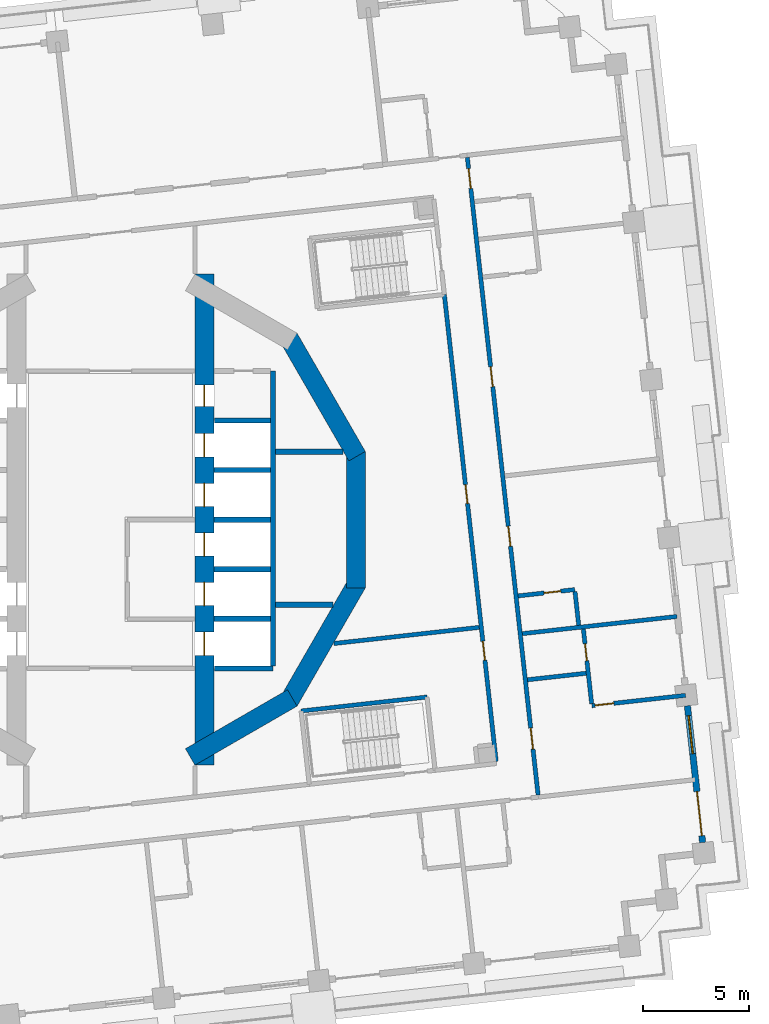
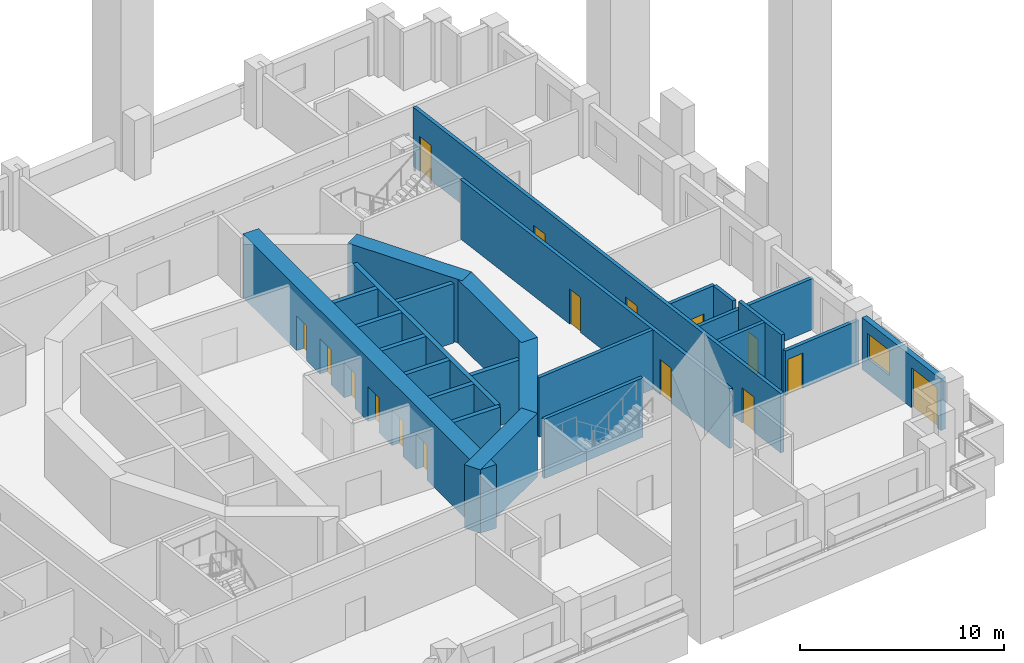
# One storey, part 6 of 20: 25 walls, 16 doors, 1 window, 17 openings.
"""IFC4 building model written with IfcOpenShell, lengths in metres."""

from ifc_helpers import new_model, si_unit, direction, frame, frame_2d, origin, place, context, subcontext, project, spatial, rectangle, extrude, material, layer, layer_set, type_object, element, fill, save


model = new_model("IFC4")

# Units and contexts
model_context = context("Model", 3, precision=1e-05, world=origin(), true_north=direction((0.0, 1.0)))
body_context = subcontext(model_context, "Body", "Model", "MODEL_VIEW")
ifc_project = project(units=[si_unit("LENGTHUNIT", "METRE"), si_unit("AREAUNIT", "SQUARE_METRE"), si_unit("VOLUMEUNIT", "CUBIC_METRE"), si_unit("PLANEANGLEUNIT", "RADIAN"), si_unit("MASSUNIT", "GRAM", prefix="KILO")], contexts=[model_context])

# Site, building, storey
site_placement = place(None, origin())
site = spatial("IfcSite", under=ifc_project, at=site_placement, CompositionType="ELEMENT")
building_placement = place(site_placement, origin())
building = spatial("IfcBuilding", under=site, at=building_placement, Name="Cantera Rosa Tower", CompositionType="ELEMENT")
storey_placement = place(building_placement, frame((0.0, 0.0, 42.5)))
storey = spatial("IfcBuildingStorey", under=building, at=storey_placement, Name="L07", CompositionType="ELEMENT", Elevation=42.5)

# Wall, openings, doors
ifc_material_1 = material(Name="Gypsum board partition")
ifc_layer_1 = layer(ifc_material_1, 0.199951171875)
ifc_layer_set_1 = layer_set([ifc_layer_1], Name="CORRIDOR WALL 200 H3550")
wall_type_1 = type_object("IfcWallType", Name="CORRIDOR WALL 200 H3550", PredefinedType="PARTITIONING", material=ifc_layer_set_1)
wall_1_placement = place(storey_placement, frame((18.27490234375, -11.453857421875, 0.0), z_axis=(0.0, 0.0, 1.0), x_axis=(-0.110303935969, 0.993897903061, 0.0)))
wall_1 = element("IfcWall", 1, at=wall_1_placement, inside=storey, type_object=wall_type_1, Name="CORRIDOR WALL L07-103", PredefinedType="PARTITIONING", context=body_context, shape_type="SweptSolid", body=[
    extrude(rectangle(XDim=22.26171875, YDim=0.199951171875, at=frame_2d((11.130859375, 0.0))), origin(), (0.0, 0.0, 1.0), 3.550048828125),
])
opening_1_placement = place(wall_1_placement, frame((12.294677734375, 0.0, 0.0)))
opening_1 = element("IfcOpeningElement", 2, at=opening_1_placement, cuts=wall_1, Name="Opening L07-005", PredefinedType="OPENING", context=body_context, shape_type="SweptSolid", body=[
    extrude(rectangle(XDim=0.89990234375, YDim=2.10009765625, at=frame_2d((0.449951171875, 1.050048828125))), frame((0.0, 0.10986328125, 0.0), z_axis=(0.0, -1.0, 0.0), x_axis=(1.0, 0.0, 0.0)), (0.0, 0.0, 1.0), 0.219970703125),
])
opening_2_placement = place(wall_1_placement, frame((4.830078125, 0.0, 0.0)))
opening_2 = element("IfcOpeningElement", 3, at=opening_2_placement, cuts=wall_1, Name="Opening L07-009", PredefinedType="OPENING", context=body_context, shape_type="SweptSolid", body=[
    extrude(rectangle(XDim=0.89990234375, YDim=2.10009765625, at=frame_2d((0.449951171875, 1.050048828125))), frame((0.0, 0.10986328125, 0.0), z_axis=(0.0, -1.0, 0.0), x_axis=(1.0, 0.0, 0.0)), (0.0, 0.0, 1.0), 0.219970703125),
])
ifc_material_2 = material(Name="Timber door leaf", Category="wood")
door_type_1 = type_object("IfcDoorType", Name="SERVICE DOOR 900x2100", OperationType="NOTDEFINED", PredefinedType="DOOR", material=ifc_material_2)
door_1_placement = place(opening_1_placement, origin())
door_1 = element("IfcDoor", 4, at=door_1_placement, inside=storey, type_object=door_type_1, Name="DOOR L07-005", OperationType="NOTDEFINED", OverallHeight=2.10009765625, OverallWidth=0.89990234375, PredefinedType="DOOR", context=body_context, shape_type="SweptSolid", body=[
    extrude(rectangle(XDim=0.89990234375, YDim=2.10009765625, at=frame_2d((0.449951171875, 1.050048828125))), frame((0.0, 0.02490234375, 0.0), z_axis=(0.0, -1.0, 0.0), x_axis=(1.0, 0.0, 0.0)), (0.0, 0.0, 1.0), 0.050048828125),
])
fill(opening_1, door_1)
door_2_placement = place(opening_2_placement, origin())
door_2 = element("IfcDoor", 5, at=door_2_placement, inside=storey, type_object=door_type_1, Name="DOOR L07-009", OperationType="NOTDEFINED", OverallHeight=2.10009765625, OverallWidth=0.89990234375, PredefinedType="DOOR", context=body_context, shape_type="SweptSolid", body=[
    extrude(rectangle(XDim=0.89990234375, YDim=2.10009765625, at=frame_2d((0.449951171875, 1.050048828125))), frame((0.0, 0.02490234375, 0.0), z_axis=(0.0, -1.0, 0.0), x_axis=(1.0, 0.0, 0.0)), (0.0, 0.0, 1.0), 0.050048828125),
])
fill(opening_2, door_2)

wall_2_placement = place(storey_placement, frame((20.2626953125, -13.04443359375, 0.0), z_axis=(0.0, 0.0, 1.0), x_axis=(-0.110312530755, 0.993896949164, 0.0)))
wall_2 = element("IfcWall", 6, at=wall_2_placement, inside=storey, type_object=wall_type_1, Name="CORRIDOR WALL L07-110", PredefinedType="PARTITIONING", context=body_context, shape_type="SweptSolid", body=[
    extrude(rectangle(XDim=30.400146484375, YDim=0.199951171875, at=frame_2d((15.2001953125, 0.0))), origin(), (0.0, 0.0, 1.0), 3.550048828125),
])
opening_3_placement = place(wall_2_placement, frame((2.18994140625, 0.0, 0.0)))
opening_3 = element("IfcOpeningElement", 7, at=opening_3_placement, cuts=wall_2, Name="Opening L07-016", PredefinedType="OPENING", context=body_context, shape_type="SweptSolid", body=[
    extrude(rectangle(XDim=1.0, YDim=2.10009765625, at=frame_2d((0.5, 1.050048828125))), frame((0.0, 0.10986328125, 0.0), z_axis=(0.0, -1.0, 0.0), x_axis=(1.0, 0.0, 0.0)), (0.0, 0.0, 1.0), 0.219970703125),
])
opening_4_placement = place(wall_2_placement, frame((11.864990234375, 0.0, 0.0)))
opening_4 = element("IfcOpeningElement", 8, at=opening_4_placement, cuts=wall_2, Name="Opening L07-019", PredefinedType="OPENING", context=body_context, shape_type="SweptSolid", body=[
    extrude(rectangle(XDim=0.949951171875, YDim=2.10009765625, at=frame_2d((0.47509765625, 1.050048828125))), frame((0.0, 0.10986328125, 0.0), z_axis=(0.0, -1.0, 0.0), x_axis=(1.0, 0.0, 0.0)), (0.0, 0.0, 1.0), 0.219970703125),
])
opening_5_placement = place(wall_2_placement, frame((19.465087890625, 0.0, 0.0)))
opening_5 = element("IfcOpeningElement", 9, at=opening_5_placement, cuts=wall_2, Name="Opening L07-021", PredefinedType="OPENING", context=body_context, shape_type="SweptSolid", body=[
    extrude(rectangle(XDim=0.949951171875, YDim=2.10009765625, at=frame_2d((0.47509765625, 1.050048828125))), frame((0.0, 0.10986328125, 0.0), z_axis=(0.0, -1.0, 0.0), x_axis=(1.0, 0.0, 0.0)), (0.0, 0.0, 1.0), 0.219970703125),
])
opening_6_placement = place(wall_2_placement, frame((28.9150390625, 0.0, 0.0)))
opening_6 = element("IfcOpeningElement", 10, at=opening_6_placement, cuts=wall_2, Name="Opening L07-023", PredefinedType="OPENING", context=body_context, shape_type="SweptSolid", body=[
    extrude(rectangle(XDim=0.949951171875, YDim=2.10009765625, at=frame_2d((0.47509765625, 1.050048828125))), frame((0.0, 0.10986328125, 0.0), z_axis=(0.0, -1.0, 0.0), x_axis=(1.0, 0.0, 0.0)), (0.0, 0.0, 1.0), 0.219970703125),
])
ifc_material_3 = material(Name="Timber door leaf", Category="wood")
door_type_2 = type_object("IfcDoorType", Name="ENTRANCE DOOR 1000x2100", OperationType="NOTDEFINED", PredefinedType="DOOR", material=ifc_material_3)
door_3_placement = place(opening_3_placement, origin())
door_3 = element("IfcDoor", 11, at=door_3_placement, inside=storey, type_object=door_type_2, Name="DOOR L07-016", OperationType="NOTDEFINED", OverallHeight=2.10009765625, OverallWidth=1.0, PredefinedType="DOOR", context=body_context, shape_type="SweptSolid", body=[
    extrude(rectangle(XDim=1.0, YDim=2.10009765625, at=frame_2d((0.5, 1.050048828125))), frame((0.0, 0.02490234375, 0.0), z_axis=(0.0, -1.0, 0.0), x_axis=(1.0, 0.0, 0.0)), (0.0, 0.0, 1.0), 0.050048828125),
])
fill(opening_3, door_3)
ifc_material_4 = material(Name="Timber door leaf", Category="wood")
door_type_3 = type_object("IfcDoorType", Name="ROOM DOOR 950x2100", OperationType="NOTDEFINED", PredefinedType="DOOR", material=ifc_material_4)
door_4_placement = place(opening_4_placement, origin())
door_4 = element("IfcDoor", 12, at=door_4_placement, inside=storey, type_object=door_type_3, Name="DOOR L07-019", OperationType="NOTDEFINED", OverallHeight=2.10009765625, OverallWidth=0.949951171875, PredefinedType="DOOR", context=body_context, shape_type="SweptSolid", body=[
    extrude(rectangle(XDim=0.949951171875, YDim=2.10009765625, at=frame_2d((0.47509765625, 1.050048828125))), frame((0.0, 0.02490234375, 0.0), z_axis=(0.0, -1.0, 0.0), x_axis=(1.0, 0.0, 0.0)), (0.0, 0.0, 1.0), 0.050048828125),
])
fill(opening_4, door_4)
door_5_placement = place(opening_5_placement, origin())
door_5 = element("IfcDoor", 13, at=door_5_placement, inside=storey, type_object=door_type_3, Name="DOOR L07-021", OperationType="NOTDEFINED", OverallHeight=2.10009765625, OverallWidth=0.949951171875, PredefinedType="DOOR", context=body_context, shape_type="SweptSolid", body=[
    extrude(rectangle(XDim=0.949951171875, YDim=2.10009765625, at=frame_2d((0.47509765625, 1.050048828125))), frame((0.0, 0.02490234375, 0.0), z_axis=(0.0, -1.0, 0.0), x_axis=(1.0, 0.0, 0.0)), (0.0, 0.0, 1.0), 0.050048828125),
])
fill(opening_5, door_5)
door_6_placement = place(opening_6_placement, origin())
door_6 = element("IfcDoor", 14, at=door_6_placement, inside=storey, type_object=door_type_3, Name="DOOR L07-023", OperationType="NOTDEFINED", OverallHeight=2.10009765625, OverallWidth=0.949951171875, PredefinedType="DOOR", context=body_context, shape_type="SweptSolid", body=[
    extrude(rectangle(XDim=0.949951171875, YDim=2.10009765625, at=frame_2d((0.47509765625, 1.050048828125))), frame((0.0, 0.02490234375, 0.0), z_axis=(0.0, -1.0, 0.0), x_axis=(1.0, 0.0, 0.0)), (0.0, 0.0, 1.0), 0.050048828125),
])
fill(opening_6, door_6)

# Wall, openings, window, door
ifc_material_5 = material(Name="Hollow clay masonry with cantera stone cladding", Category="masonry")
ifc_layer_2 = layer(ifc_material_5, 0.300048828125)
ifc_layer_set_2 = layer_set([ifc_layer_2], Name="EW-LOGGIA 300 H3090")
wall_type_2 = type_object("IfcWallType", Name="EW-LOGGIA 300 H3090", PredefinedType="SOLIDWALL", material=ifc_layer_set_2)
wall_3_placement = place(storey_placement, frame((28.058837890625, -15.298095703125, 0.0), z_axis=(0.0, 0.0, 1.0), x_axis=(-0.110312341265, 0.993896970196, 0.0)))
wall_3 = element("IfcWall", 15, at=wall_3_placement, inside=storey, type_object=wall_type_2, Name="EN-L07-W01", PredefinedType="SOLIDWALL", context=body_context, shape_type="SweptSolid", body=[
    extrude(rectangle(XDim=6.52001953125, YDim=0.300048828125, at=frame_2d((3.260009765625, 0.0))), origin(), (0.0, 0.0, 1.0), 3.090087890625),
])
opening_7_placement = place(wall_3_placement, frame((0.330078125, 0.0, 0.0)))
opening_7 = element("IfcOpeningElement", 16, at=opening_7_placement, cuts=wall_3, Name="Opening L07-TD01", PredefinedType="OPENING", context=body_context, shape_type="SweptSolid", body=[
    extrude(rectangle(XDim=2.10009765625, YDim=2.39990234375, at=frame_2d((1.050048828125, 1.199951171875))), frame((0.0, 0.159912109375, 0.0), z_axis=(0.0, -1.0, 0.0), x_axis=(1.0, 0.0, 0.0)), (0.0, 0.0, 1.0), 0.320068359375),
])
opening_8_placement = place(wall_3_placement, frame((4.239990234375, 0.0, 0.89990234375)))
opening_8 = element("IfcOpeningElement", 17, at=opening_8_placement, cuts=wall_3, Name="Opening L07-W02", PredefinedType="OPENING", context=body_context, shape_type="SweptSolid", body=[
    extrude(rectangle(XDim=1.800048828125, YDim=1.5, at=frame_2d((0.89990234375, 0.75))), frame((0.0, 0.159912109375, 0.0), z_axis=(0.0, -1.0, 0.0), x_axis=(1.0, 0.0, 0.0)), (0.0, 0.0, 1.0), 0.320068359375),
])
ifc_material_6 = material(Name="Aluminium frame with clear glass", Category="aluminium")
window_type = type_object("IfcWindowType", Name="Hotel room window 1800x1500", PartitioningType="DOUBLE_PANEL_VERTICAL", PredefinedType="WINDOW", material=ifc_material_6)
window_placement = place(opening_8_placement, origin())
window = element("IfcWindow", 18, at=window_placement, inside=storey, type_object=window_type, Name="WINDOW L07-W02", OverallHeight=1.5, OverallWidth=1.800048828125, PartitioningType="SINGLE_PANEL", PredefinedType="WINDOW", context=body_context, shape_type="SweptSolid", body=[
    extrude(rectangle(XDim=1.800048828125, YDim=1.5, at=frame_2d((0.89990234375, 0.75))), frame((0.0, 0.030029296875, 0.0), z_axis=(0.0, -1.0, 0.0), x_axis=(1.0, 0.0, 0.0)), (0.0, 0.0, 1.0), 0.06005859375),
])
fill(opening_8, window)
ifc_material_7 = material(Name="Aluminium frame with clear glass", Category="aluminium")
door_type_4 = type_object("IfcDoorType", Name="TD-H 2100x2400", OperationType="NOTDEFINED", PredefinedType="DOOR", material=ifc_material_7)
door_7_placement = place(opening_7_placement, origin())
door_7 = element("IfcDoor", 19, at=door_7_placement, inside=storey, type_object=door_type_4, Name="LOGGIA DOOR L07-TD01", OperationType="SLIDING_TO_LEFT", OverallHeight=2.39990234375, OverallWidth=2.10009765625, PredefinedType="DOOR", context=body_context, shape_type="SweptSolid", body=[
    extrude(rectangle(XDim=2.10009765625, YDim=2.39990234375, at=frame_2d((1.050048828125, 1.199951171875))), frame((0.0, 0.02490234375, 0.0), z_axis=(0.0, -1.0, 0.0), x_axis=(1.0, 0.0, 0.0)), (0.0, 0.0, 1.0), 0.050048828125),
])
fill(opening_7, door_7)

# Wall, opening, door
ifc_material_8 = material(Name="Gypsum board partition")
ifc_layer_3 = layer(ifc_material_8, 0.199951171875)
ifc_layer_set_3 = layer_set([ifc_layer_3], Name="PARTITION 200 H2650")
wall_type_3 = type_object("IfcWallType", Name="PARTITION 200 H2650", PredefinedType="PARTITIONING", material=ifc_layer_set_3)
wall_4_placement = place(storey_placement, frame((27.254638671875, -8.32421875, 0.0), z_axis=(0.0, 0.0, 1.0), x_axis=(-0.993895052822, -0.11032961514, 0.0)))
wall_4 = element("IfcWall", 20, at=wall_4_placement, inside=storey, type_object=wall_type_3, Name="PARTITION L07-115", PredefinedType="PARTITIONING", context=body_context, shape_type="SweptSolid", body=[
    extrude(rectangle(XDim=4.469970703125, YDim=0.199951171875, at=frame_2d((2.23486328125, 0.0))), origin(), (0.0, 0.0, 1.0), 2.64990234375),
])
opening_9_placement = place(wall_4_placement, frame((3.419921875, 0.0, 0.0)))
opening_9 = element("IfcOpeningElement", 21, at=opening_9_placement, cuts=wall_4, Name="Opening L07-017", PredefinedType="OPENING", context=body_context, shape_type="SweptSolid", body=[
    extrude(rectangle(XDim=0.89990234375, YDim=2.10009765625, at=frame_2d((0.449951171875, 1.050048828125))), frame((0.0, 0.10986328125, 0.0), z_axis=(0.0, -1.0, 0.0), x_axis=(1.0, 0.0, 0.0)), (0.0, 0.0, 1.0), 0.219970703125),
])
ifc_material_9 = material(Name="Timber door leaf", Category="wood")
door_type_5 = type_object("IfcDoorType", Name="ROOM DOOR 900x2100", OperationType="NOTDEFINED", PredefinedType="DOOR", material=ifc_material_9)
door_8_placement = place(opening_9_placement, origin())
door_8 = element("IfcDoor", 22, at=door_8_placement, inside=storey, type_object=door_type_5, Name="DOOR L07-017", OperationType="NOTDEFINED", OverallHeight=2.10009765625, OverallWidth=0.89990234375, PredefinedType="DOOR", context=body_context, shape_type="SweptSolid", body=[
    extrude(rectangle(XDim=0.89990234375, YDim=2.10009765625, at=frame_2d((0.449951171875, 1.050048828125))), frame((0.0, 0.02490234375, 0.0), z_axis=(0.0, -1.0, 0.0), x_axis=(1.0, 0.0, 0.0)), (0.0, 0.0, 1.0), 0.050048828125),
])
fill(opening_9, door_8)

# Wall
ifc_material_10 = material(Name="Gypsum board partition")
ifc_layer_4 = layer(ifc_material_10, 0.199951171875)
ifc_layer_set_4 = layer_set([ifc_layer_4], Name="PARTITION 200 H3550")
wall_type_4 = type_object("IfcWallType", Name="PARTITION 200 H3550", PredefinedType="PARTITIONING", material=ifc_layer_set_4)
wall_5_placement = place(storey_placement, frame((17.4697265625, -5.10400390625, 0.0), z_axis=(0.0, 0.0, 1.0), x_axis=(-0.993897488751, -0.110307669061, 0.0)))
element("IfcWall", 23, at=wall_5_placement, inside=storey, type_object=wall_type_4, Name="PARTITION L07-101", PredefinedType="PARTITIONING", context=body_context, shape_type="SweptSolid", body=[
    extrude(rectangle(XDim=6.923095703125, YDim=0.199951171875, at=frame_2d((3.46142578125, 0.0))), origin(), (0.0, 0.0, 1.0), 3.550048828125),
])

# Wall, opening, door
wall_6_placement = place(storey_placement, frame((19.31640625, -3.611083984375, 0.0), z_axis=(0.0, 0.0, 1.0), x_axis=(0.993905770718, 0.110233021063, 0.0)))
wall_6 = element("IfcWall", 24, at=wall_6_placement, inside=storey, type_object=wall_type_4, Name="PARTITION L07-107", PredefinedType="PARTITIONING", context=body_context, shape_type="SweptSolid", body=[
    extrude(rectangle(XDim=2.69970703125, YDim=0.199951171875, at=frame_2d((1.349853515625, 0.0))), origin(), (0.0, 0.0, 1.0), 3.550048828125),
])
opening_10_placement = place(wall_6_placement, frame((1.236083984375, 0.0, 0.0)))
opening_10 = element("IfcOpeningElement", 25, at=opening_10_placement, cuts=wall_6, Name="Opening L07-020", PredefinedType="OPENING", context=body_context, shape_type="SweptSolid", body=[
    extrude(rectangle(XDim=0.800048828125, YDim=2.10009765625, at=frame_2d((0.39990234375, 1.050048828125))), frame((0.0, 0.10986328125, 0.0), z_axis=(0.0, -1.0, 0.0), x_axis=(1.0, 0.0, 0.0)), (0.0, 0.0, 1.0), 0.219970703125),
])
ifc_material_11 = material(Name="Timber door leaf", Category="wood")
door_type_6 = type_object("IfcDoorType", Name="BATHROOM DOOR 800x2100", OperationType="NOTDEFINED", PredefinedType="DOOR", material=ifc_material_11)
door_9_placement = place(opening_10_placement, origin())
door_9 = element("IfcDoor", 26, at=door_9_placement, inside=storey, type_object=door_type_6, Name="DOOR L07-020", OperationType="NOTDEFINED", OverallHeight=2.10009765625, OverallWidth=0.800048828125, PredefinedType="DOOR", context=body_context, shape_type="SweptSolid", body=[
    extrude(rectangle(XDim=0.800048828125, YDim=2.10009765625, at=frame_2d((0.39990234375, 1.050048828125))), frame((0.0, 0.02490234375, 0.0), z_axis=(0.0, -1.0, 0.0), x_axis=(1.0, 0.0, 0.0)), (0.0, 0.0, 1.0), 0.050048828125),
])
fill(opening_10, door_9)

# Walls
wall_7_placement = place(storey_placement, frame((22.0107421875, -3.412841796875, 0.0), z_axis=(0.0, 0.0, 1.0), x_axis=(0.110331031706, -0.993894895571, 0.0)))
element("IfcWall", 27, at=wall_7_placement, inside=storey, type_object=wall_type_4, Name="PARTITION L07-112", PredefinedType="PARTITIONING", context=body_context, shape_type="SweptSolid", body=[
    extrude(rectangle(XDim=1.599853515625, YDim=0.199951171875, at=frame_2d((0.7998046875, 0.0))), origin(), (0.0, 0.0, 1.0), 3.550048828125),
])
wall_8_placement = place(storey_placement, frame((22.540283203125, -7.27783203125, 0.0), z_axis=(0.0, 0.0, 1.0), x_axis=(-0.99388798752, -0.110393243744, 0.0)))
element("IfcWall", 28, at=wall_8_placement, inside=storey, type_object=wall_type_4, Name="PARTITION L07-113", PredefinedType="PARTITIONING", context=body_context, shape_type="SweptSolid", body=[
    extrude(rectangle(XDim=2.7998046875, YDim=0.199951171875, at=frame_2d((1.39990234375, 0.0))), origin(), (0.0, 0.0, 1.0), 3.550048828125),
])

# Wall, opening, door
wall_9_placement = place(storey_placement, frame((22.80078125, -8.718017578125, 0.0), z_axis=(0.0, 0.0, 1.0), x_axis=(-0.110273460699, 0.993901284769, 0.0)))
wall_9 = element("IfcWall", 29, at=wall_9_placement, inside=storey, type_object=wall_type_4, Name="PARTITION L07-114", PredefinedType="PARTITIONING", context=body_context, shape_type="SweptSolid", body=[
    extrude(rectangle(XDim=3.56005859375, YDim=0.199951171875, at=frame_2d((1.780029296875, 0.0))), origin(), (0.0, 0.0, 1.0), 3.550048828125),
])
opening_11_placement = place(wall_9_placement, frame((2.050048828125, 0.0, 0.0)))
opening_11 = element("IfcOpeningElement", 30, at=opening_11_placement, cuts=wall_9, Name="Opening L07-018", PredefinedType="OPENING", context=body_context, shape_type="SweptSolid", body=[
    extrude(rectangle(XDim=0.800048828125, YDim=2.10009765625, at=frame_2d((0.39990234375, 1.050048828125))), frame((0.0, 0.10986328125, 0.0), z_axis=(0.0, -1.0, 0.0), x_axis=(1.0, 0.0, 0.0)), (0.0, 0.0, 1.0), 0.219970703125),
])
door_10_placement = place(opening_11_placement, origin())
door_10 = element("IfcDoor", 31, at=door_10_placement, inside=storey, type_object=door_type_6, Name="DOOR L07-018", OperationType="NOTDEFINED", OverallHeight=2.10009765625, OverallWidth=0.800048828125, PredefinedType="DOOR", context=body_context, shape_type="SweptSolid", body=[
    extrude(rectangle(XDim=0.800048828125, YDim=2.10009765625, at=frame_2d((0.39990234375, 1.050048828125))), frame((0.0, 0.02490234375, 0.0), z_axis=(0.0, -1.0, 0.0), x_axis=(1.0, 0.0, 0.0)), (0.0, 0.0, 1.0), 0.050048828125),
])
fill(opening_11, door_10)

# Walls
ifc_material_12 = material(Name="Gypsum board partition")
ifc_layer_5 = layer(ifc_material_12, 0.199951171875)
ifc_layer_set_5 = layer_set([ifc_layer_5], Name="PARTY WALL 200 H3050")
wall_type_5 = type_object("IfcWallType", Name="PARTY WALL 200 H3050", PredefinedType="PARTITIONING", material=ifc_layer_set_5)
wall_10_placement = place(storey_placement, frame((19.514892578125, -5.400146484375, 0.0), z_axis=(0.0, 0.0, 1.0), x_axis=(0.993897058864, 0.11031154238, 0.0)))
element("IfcWall", 32, at=wall_10_placement, inside=storey, type_object=wall_type_5, Name="PARTY WALL L07-108", PredefinedType="PARTITIONING", context=body_context, shape_type="SweptSolid", body=[
    extrude(rectangle(XDim=7.369873046875, YDim=0.199951171875, at=frame_2d((3.68505859375, 0.0))), origin(), (0.0, 0.0, 1.0), 3.050048828125),
])
ifc_material_13 = material(Name="Concrete C70/85", Category="concrete")
ifc_layer_6 = layer(ifc_material_13, 0.89990234375)
ifc_layer_set_6 = layer_set([ifc_layer_6], Name="RC CORE WALL 900 C70/85")
wall_type_6 = type_object("IfcWallType", Name="RC CORE WALL 900 C70/85", PredefinedType="SHEAR", material=ifc_layer_set_6)
wall_11_placement = place(storey_placement, frame((8.44921875, 8.61376953125, 0.0), z_axis=(0.0, 0.0, 1.0), x_axis=(0.499990282633, -0.866031014036, 0.0)))
element("IfcWall", 33, at=wall_11_placement, inside=storey, type_object=wall_type_6, Name="CW-E2 L07", PredefinedType="SHEAR", context=body_context, shape_type="SweptSolid", body=[
    extrude(rectangle(XDim=6.470458984375, YDim=0.89990234375, at=frame_2d((3.2353515625, 0.0))), origin(), (0.0, 0.0, 1.0), 3.800048828125),
])
wall_12_placement = place(storey_placement, frame((11.6240234375, 3.2353515625, 0.0), z_axis=(0.0, 0.0, 1.0), x_axis=(0.0, -1.0, 0.0)))
element("IfcWall", 34, at=wall_12_placement, inside=storey, type_object=wall_type_6, Name="CW-E3 L07", PredefinedType="SHEAR", context=body_context, shape_type="SweptSolid", body=[
    extrude(rectangle(XDim=6.470703125, YDim=0.89990234375, at=frame_2d((3.2353515625, 0.0))), origin(), (0.0, 0.0, 1.0), 3.800048828125),
])
wall_13_placement = place(storey_placement, frame((11.684326171875, -3.01025390625, 0.0), z_axis=(0.0, 0.0, 1.0), x_axis=(-0.499990282633, -0.866031014036, 0.0)))
element("IfcWall", 35, at=wall_13_placement, inside=storey, type_object=wall_type_6, Name="CW-E4 L07", PredefinedType="SHEAR", context=body_context, shape_type="SweptSolid", body=[
    extrude(rectangle(XDim=6.470458984375, YDim=0.89990234375, at=frame_2d((3.2353515625, 0.0))), origin(), (0.0, 0.0, 1.0), 3.800048828125),
])
wall_14_placement = place(storey_placement, frame((8.61376953125, -8.44921875, 0.0), z_axis=(0.0, 0.0, 1.0), x_axis=(-0.866026961591, -0.49999730179, 0.0)))
element("IfcWall", 36, at=wall_14_placement, inside=storey, type_object=wall_type_6, Name="CW-E5 L07", PredefinedType="SHEAR", context=body_context, shape_type="SweptSolid", body=[
    extrude(rectangle(XDim=5.58740234375, YDim=0.89990234375, at=frame_2d((2.793701171875, 0.0))), origin(), (0.0, 0.0, 1.0), 3.800048828125),
])

# Wall, openings, doors
wall_15_placement = place(storey_placement, frame((4.449951171875, -11.632568359375, 0.0), z_axis=(0.0, 0.0, 1.0), x_axis=(0.0, 1.0, 0.0)))
wall_15 = element("IfcWall", 37, at=wall_15_placement, inside=storey, type_object=wall_type_6, Name="CW-E6 L07", PredefinedType="SHEAR", context=body_context, shape_type="SweptSolid", body=[
    extrude(rectangle(XDim=23.26513671875, YDim=0.89990234375, at=frame_2d((11.632568359375, 0.0))), origin(), (0.0, 0.0, 1.0), 3.800048828125),
])
opening_12_placement = place(wall_15_placement, frame((7.5576171875, 0.0, 0.0)))
opening_12 = element("IfcOpeningElement", 38, at=opening_12_placement, cuts=wall_15, Name="Opening LD-FF1-L07", PredefinedType="OPENING", context=body_context, shape_type="SweptSolid", body=[
    extrude(rectangle(XDim=1.10009765625, YDim=2.10009765625, at=frame_2d((0.550048828125, 1.050048828125))), frame((0.0, 0.4599609375, 0.0), z_axis=(0.0, -1.0, 0.0), x_axis=(1.0, 0.0, 0.0)), (0.0, 0.0, 1.0), 0.919921875),
])
opening_13_placement = place(wall_15_placement, frame((9.907470703125, 0.0, 0.0)))
opening_13 = element("IfcOpeningElement", 39, at=opening_13_placement, cuts=wall_15, Name="Opening LD-FF2-L07", PredefinedType="OPENING", context=body_context, shape_type="SweptSolid", body=[
    extrude(rectangle(XDim=1.10009765625, YDim=2.10009765625, at=frame_2d((0.550048828125, 1.050048828125))), frame((0.0, 0.4599609375, 0.0), z_axis=(0.0, -1.0, 0.0), x_axis=(1.0, 0.0, 0.0)), (0.0, 0.0, 1.0), 0.919921875),
])
opening_14_placement = place(wall_15_placement, frame((12.257568359375, 0.0, 0.0)))
opening_14 = element("IfcOpeningElement", 40, at=opening_14_placement, cuts=wall_15, Name="Opening LD-P1-L07", PredefinedType="OPENING", context=body_context, shape_type="SweptSolid", body=[
    extrude(rectangle(XDim=1.10009765625, YDim=2.10009765625, at=frame_2d((0.550048828125, 1.050048828125))), frame((0.0, 0.4599609375, 0.0), z_axis=(0.0, -1.0, 0.0), x_axis=(1.0, 0.0, 0.0)), (0.0, 0.0, 1.0), 0.919921875),
])
opening_15_placement = place(wall_15_placement, frame((14.607421875, 0.0, 0.0)))
opening_15 = element("IfcOpeningElement", 41, at=opening_15_placement, cuts=wall_15, Name="Opening LD-P2-L07", PredefinedType="OPENING", context=body_context, shape_type="SweptSolid", body=[
    extrude(rectangle(XDim=1.10009765625, YDim=2.10009765625, at=frame_2d((0.550048828125, 1.050048828125))), frame((0.0, 0.4599609375, 0.0), z_axis=(0.0, -1.0, 0.0), x_axis=(1.0, 0.0, 0.0)), (0.0, 0.0, 1.0), 0.919921875),
])
opening_16_placement = place(wall_15_placement, frame((5.20751953125, 0.0, 0.0)))
opening_16 = element("IfcOpeningElement", 42, at=opening_16_placement, cuts=wall_15, Name="Opening LD-P6-L07", PredefinedType="OPENING", context=body_context, shape_type="SweptSolid", body=[
    extrude(rectangle(XDim=1.10009765625, YDim=2.10009765625, at=frame_2d((0.550048828125, 1.050048828125))), frame((0.0, 0.4599609375, 0.0), z_axis=(0.0, -1.0, 0.0), x_axis=(1.0, 0.0, 0.0)), (0.0, 0.0, 1.0), 0.919921875),
])
opening_17_placement = place(wall_15_placement, frame((17.007568359375, 0.0, 0.0)))
opening_17 = element("IfcOpeningElement", 43, at=opening_17_placement, cuts=wall_15, Name="Opening SD-L07-15", PredefinedType="OPENING", context=body_context, shape_type="SweptSolid", body=[
    extrude(rectangle(XDim=1.0, YDim=2.10009765625, at=frame_2d((0.5, 1.050048828125))), frame((0.0, 0.4599609375, 0.0), z_axis=(0.0, -1.0, 0.0), x_axis=(1.0, 0.0, 0.0)), (0.0, 0.0, 1.0), 0.919921875),
])
ifc_material_14 = material(Name="Steel S355J2 (EN 10025-2)", Category="steel")
door_type_7 = type_object("IfcDoorType", Name="LANDING DOOR 1100x2100", OperationType="NOTDEFINED", PredefinedType="DOOR", material=ifc_material_14)
door_11_placement = place(opening_12_placement, origin())
door_11 = element("IfcDoor", 44, at=door_11_placement, inside=storey, type_object=door_type_7, Name="LANDING DOOR FF1 L07", OperationType="SLIDING_TO_LEFT", OverallHeight=2.10009765625, OverallWidth=1.10009765625, PredefinedType="DOOR", context=body_context, shape_type="SweptSolid", body=[
    extrude(rectangle(XDim=1.10009765625, YDim=2.10009765625, at=frame_2d((0.550048828125, 1.050048828125))), frame((0.0, 0.02490234375, 0.0), z_axis=(0.0, -1.0, 0.0), x_axis=(1.0, 0.0, 0.0)), (0.0, 0.0, 1.0), 0.050048828125),
])
fill(opening_12, door_11)
door_12_placement = place(opening_13_placement, origin())
door_12 = element("IfcDoor", 45, at=door_12_placement, inside=storey, type_object=door_type_7, Name="LANDING DOOR FF2 L07", OperationType="SLIDING_TO_LEFT", OverallHeight=2.10009765625, OverallWidth=1.10009765625, PredefinedType="DOOR", context=body_context, shape_type="SweptSolid", body=[
    extrude(rectangle(XDim=1.10009765625, YDim=2.10009765625, at=frame_2d((0.550048828125, 1.050048828125))), frame((0.0, 0.02490234375, 0.0), z_axis=(0.0, -1.0, 0.0), x_axis=(1.0, 0.0, 0.0)), (0.0, 0.0, 1.0), 0.050048828125),
])
fill(opening_13, door_12)
door_13_placement = place(opening_14_placement, origin())
door_13 = element("IfcDoor", 46, at=door_13_placement, inside=storey, type_object=door_type_7, Name="LANDING DOOR P1 L07", OperationType="SLIDING_TO_LEFT", OverallHeight=2.10009765625, OverallWidth=1.10009765625, PredefinedType="DOOR", context=body_context, shape_type="SweptSolid", body=[
    extrude(rectangle(XDim=1.10009765625, YDim=2.10009765625, at=frame_2d((0.550048828125, 1.050048828125))), frame((0.0, 0.02490234375, 0.0), z_axis=(0.0, -1.0, 0.0), x_axis=(1.0, 0.0, 0.0)), (0.0, 0.0, 1.0), 0.050048828125),
])
fill(opening_14, door_13)
door_14_placement = place(opening_15_placement, origin())
door_14 = element("IfcDoor", 47, at=door_14_placement, inside=storey, type_object=door_type_7, Name="LANDING DOOR P2 L07", OperationType="SLIDING_TO_LEFT", OverallHeight=2.10009765625, OverallWidth=1.10009765625, PredefinedType="DOOR", context=body_context, shape_type="SweptSolid", body=[
    extrude(rectangle(XDim=1.10009765625, YDim=2.10009765625, at=frame_2d((0.550048828125, 1.050048828125))), frame((0.0, 0.02490234375, 0.0), z_axis=(0.0, -1.0, 0.0), x_axis=(1.0, 0.0, 0.0)), (0.0, 0.0, 1.0), 0.050048828125),
])
fill(opening_15, door_14)
door_15_placement = place(opening_16_placement, origin())
door_15 = element("IfcDoor", 48, at=door_15_placement, inside=storey, type_object=door_type_7, Name="LANDING DOOR P6 L07", OperationType="SLIDING_TO_LEFT", OverallHeight=2.10009765625, OverallWidth=1.10009765625, PredefinedType="DOOR", context=body_context, shape_type="SweptSolid", body=[
    extrude(rectangle(XDim=1.10009765625, YDim=2.10009765625, at=frame_2d((0.550048828125, 1.050048828125))), frame((0.0, 0.02490234375, 0.0), z_axis=(0.0, -1.0, 0.0), x_axis=(1.0, 0.0, 0.0)), (0.0, 0.0, 1.0), 0.050048828125),
])
fill(opening_16, door_15)
ifc_material_15 = material(Name="Timber door leaf", Category="wood")
door_type_8 = type_object("IfcDoorType", Name="SERVICE DOOR 1000x2100", OperationType="NOTDEFINED", PredefinedType="DOOR", material=ifc_material_15)
door_16_placement = place(opening_17_placement, origin())
door_16 = element("IfcDoor", 49, at=door_16_placement, inside=storey, type_object=door_type_8, Name="DOOR L07-SD15", OperationType="NOTDEFINED", OverallHeight=2.10009765625, OverallWidth=1.0, PredefinedType="DOOR", context=body_context, shape_type="SweptSolid", body=[
    extrude(rectangle(XDim=1.0, YDim=2.10009765625, at=frame_2d((0.5, 1.050048828125))), frame((0.0, 0.02490234375, 0.0), z_axis=(0.0, -1.0, 0.0), x_axis=(1.0, 0.0, 0.0)), (0.0, 0.0, 1.0), 0.050048828125),
])
fill(opening_17, door_16)

# Walls
ifc_material_16 = material(Name="Masonry blockwork", Category="masonry")
ifc_layer_7 = layer(ifc_material_16, 0.25)
ifc_layer_set_7 = layer_set([ifc_layer_7], Name="SHAFT WALL 250 H3550")
wall_type_7 = type_object("IfcWallType", Name="SHAFT WALL 250 H3550", PredefinedType="SOLIDWALL", material=ifc_layer_set_7)
for number, where, z_axis, x_axis, name in (
    (50, (4.89990234375, -4.699951171875, 0.0), (0.0, 0.0, 1.0), (1.0, 0.0, 0.0), "SHAFT WALL L07-065"),
    (51, (4.89990234375, 0.0, 0.0), (0.0, 0.0, 1.0), (1.0, 0.0, 0.0), "SHAFT WALL L07-066"),
):
    element("IfcWall", number, at=place(storey_placement, frame(where, z_axis=z_axis, x_axis=x_axis)), inside=storey, type_object=wall_type_7, Name=name, PredefinedType="SOLIDWALL", context=body_context, shape_type="SweptSolid", body=[
        extrude(rectangle(XDim=2.675048828125, YDim=0.25, at=frame_2d((1.33740234375, 0.0))), origin(), (0.0, 0.0, 1.0), 3.550048828125),
    ])
wall_16_placement = place(storey_placement, frame((4.929931640625, -7.050048828125, 0.0), z_axis=(0.0, 0.0, 1.0), x_axis=(1.0, 0.0, 0.0)))
element("IfcWall", 52, at=wall_16_placement, inside=storey, type_object=wall_type_7, Name="SHAFT WALL L07-067", PredefinedType="SOLIDWALL", context=body_context, shape_type="SweptSolid", body=[
    extrude(rectangle(XDim=2.77001953125, YDim=0.25, at=frame_2d((1.385009765625, 0.0))), origin(), (0.0, 0.0, 1.0), 3.550048828125),
])
wall_17_placement = place(storey_placement, frame((7.699951171875, -6.929931640625, 0.0), z_axis=(0.0, 0.0, 1.0), x_axis=(0.0, 1.0, 0.0)))
element("IfcWall", 53, at=wall_17_placement, inside=storey, type_object=wall_type_7, Name="SHAFT WALL L07-068", PredefinedType="SOLIDWALL", context=body_context, shape_type="SweptSolid", body=[
    extrude(rectangle(XDim=13.97998046875, YDim=0.25, at=frame_2d((6.989990234375, 0.0))), origin(), (0.0, 0.0, 1.0), 3.550048828125),
])
wall_18_placement = place(storey_placement, frame((7.824951171875, -4.029541015625, 0.0), z_axis=(0.0, 0.0, 1.0), x_axis=(1.0, 0.0, 0.0)))
element("IfcWall", 54, at=wall_18_placement, inside=storey, type_object=wall_type_7, Name="SHAFT WALL L07-069", PredefinedType="SOLIDWALL", context=body_context, shape_type="SweptSolid", body=[
    extrude(rectangle(XDim=2.716552734375, YDim=0.25, at=frame_2d((1.3583984375, 0.0))), origin(), (0.0, 0.0, 1.0), 3.550048828125),
])
for number, where, z_axis, x_axis, name in (
    (55, (7.574951171875, -2.35009765625, 0.0), (0.0, 0.0, 1.0), (-1.0, 0.0, 0.0), "SHAFT WALL L07-070"),
    (56, (7.574951171875, 2.35009765625, 0.0), (0.0, 0.0, 1.0), (-1.0, 0.0, 0.0), "SHAFT WALL L07-071"),
):
    element("IfcWall", number, at=place(storey_placement, frame(where, z_axis=z_axis, x_axis=x_axis)), inside=storey, type_object=wall_type_7, Name=name, PredefinedType="SOLIDWALL", context=body_context, shape_type="SweptSolid", body=[
        extrude(rectangle(XDim=2.675048828125, YDim=0.25, at=frame_2d((1.33740234375, 0.0))), origin(), (0.0, 0.0, 1.0), 3.550048828125),
    ])
wall_19_placement = place(storey_placement, frame((7.824951171875, 3.2236328125, 0.0), z_axis=(0.0, 0.0, 1.0), x_axis=(1.0, 0.0, 0.0)))
element("IfcWall", 57, at=wall_19_placement, inside=storey, type_object=wall_type_7, Name="SHAFT WALL L07-072", PredefinedType="SOLIDWALL", context=body_context, shape_type="SweptSolid", body=[
    extrude(rectangle(XDim=3.181884765625, YDim=0.25, at=frame_2d((1.5908203125, 0.0))), origin(), (0.0, 0.0, 1.0), 3.550048828125),
])
wall_20_placement = place(storey_placement, frame((7.574951171875, 4.699951171875, 0.0), z_axis=(0.0, 0.0, 1.0), x_axis=(-1.0, 0.0, 0.0)))
element("IfcWall", 58, at=wall_20_placement, inside=storey, type_object=wall_type_7, Name="SHAFT WALL L07-073", PredefinedType="SOLIDWALL", context=body_context, shape_type="SweptSolid", body=[
    extrude(rectangle(XDim=2.64501953125, YDim=0.25, at=frame_2d((1.322509765625, 0.0))), origin(), (0.0, 0.0, 1.0), 3.550048828125),
])
ifc_material_17 = material(Name="Concrete C50/60", Category="concrete")
ifc_layer_8 = layer(ifc_material_17, 0.199951171875)
ifc_layer_set_8 = layer_set([ifc_layer_8], Name="STAIR WALL 200 H3550")
wall_type_8 = type_object("IfcWallType", Name="STAIR WALL 200 H3550", PredefinedType="SOLIDWALL", material=ifc_layer_set_8)
wall_21_placement = place(storey_placement, frame((14.996826171875, -8.404296875, 0.0), z_axis=(0.0, 0.0, 1.0), x_axis=(-0.993897125329, -0.110310943534, 0.0)))
element("IfcWall", 59, at=wall_21_placement, inside=storey, type_object=wall_type_8, Name="STAIR WALL L07-086", PredefinedType="SOLIDWALL", context=body_context, shape_type="SweptSolid", body=[
    extrude(rectangle(XDim=6.0, YDim=0.199951171875, at=frame_2d((3.0, 0.0))), origin(), (0.0, 0.0, 1.0), 3.550048828125),
])

save(model, "model.ifc")
